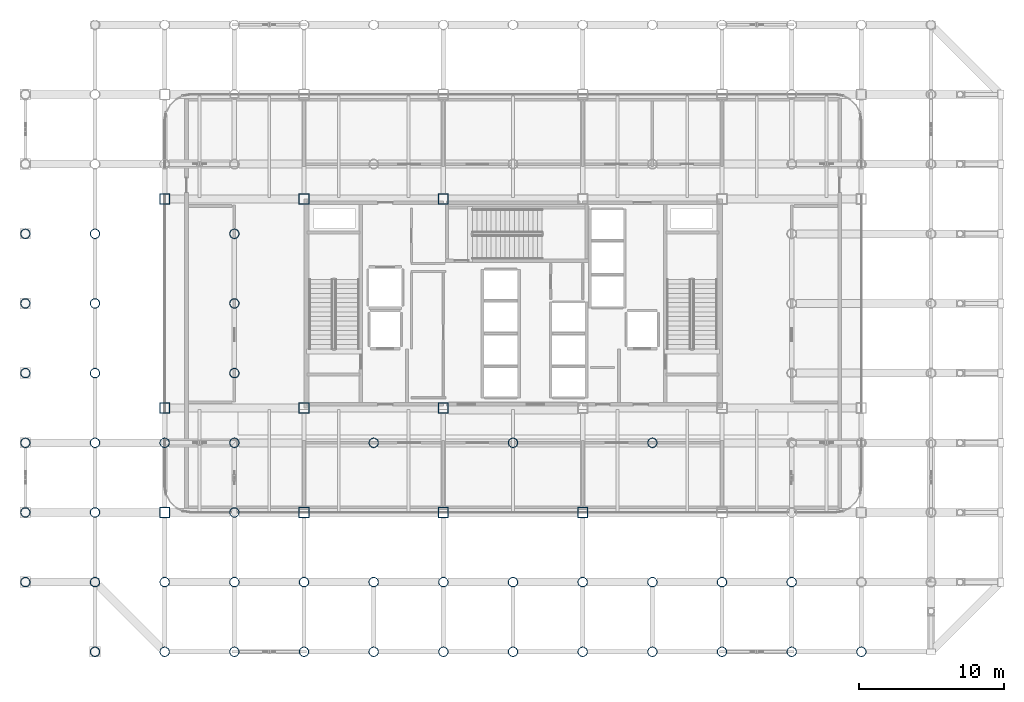
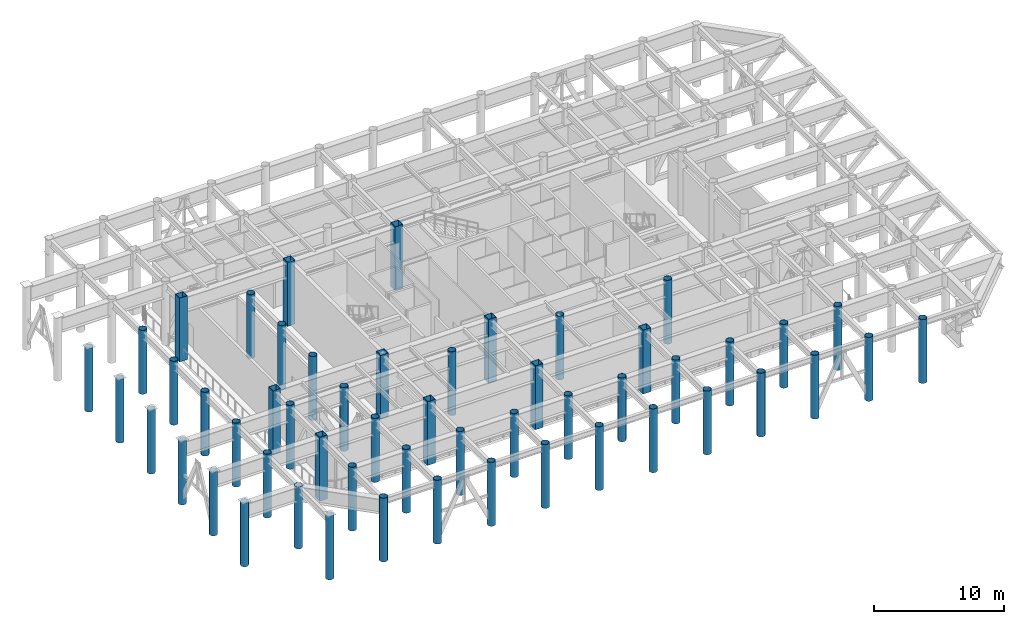
# One storey, part 1 of 20: 53 columns.
"""IFC4 building model written with IfcOpenShell, lengths in metres."""

from ifc_helpers import new_model, si_unit, direction, frame, origin, origin_2d, place, context, subcontext, project, spatial, hollow_rectangle, hollow_circle, extrude, material, material_profile, profile_set, type_object, element, save


model = new_model("IFC4")

# Units and contexts
model_context = context("Model", 3, precision=1e-05, world=origin(), true_north=direction((0.0, 1.0)))
body_context = subcontext(model_context, "Body", "Model", "MODEL_VIEW")
ifc_project = project(units=[si_unit("LENGTHUNIT", "METRE"), si_unit("AREAUNIT", "SQUARE_METRE"), si_unit("VOLUMEUNIT", "CUBIC_METRE"), si_unit("PLANEANGLEUNIT", "RADIAN"), si_unit("MASSUNIT", "GRAM", prefix="KILO")], contexts=[model_context])

# Site, building, storey
site_placement = place(None, origin())
site = spatial("IfcSite", under=ifc_project, at=site_placement, CompositionType="ELEMENT")
building_placement = place(site_placement, origin())
building = spatial("IfcBuilding", under=site, at=building_placement, Name="Kallvorn Hotel Tower", CompositionType="ELEMENT")
storey_placement = place(building_placement, frame((0.0, 0.0, 185.5)))
storey = spatial("IfcBuildingStorey", under=building, at=storey_placement, Name="L46", CompositionType="ELEMENT", Elevation=185.5)

# Columns
ifc_material_1 = material(Name="Structural steel S355J2H", Category="steel")
ifc_material_profile_1 = material_profile(ifc_material_1, hollow_circle(Radius=0.330078125, WallThickness=0.028076171875, at=origin_2d()), Name="CHS 660x28")
ifc_profile_set_1 = profile_set([ifc_material_profile_1], Name="Structural steel S355J2H")
column_type_1 = type_object("IfcColumnType", Name="COL_CHS_660", PredefinedType="COLUMN", material=ifc_profile_set_1)
for number, where, z_axis, x_axis, name in (
    (1, (-33.60009765625, -19.199951171875, 0.0), (0.0, 0.0, 1.0), (1.0, 0.0, 0.0), "L46 Exoskeleton Column EC01"),
    (2, (-33.60009765625, -14.39990234375, 0.0), (0.0, 0.0, 1.0), (1.0, 0.0, 0.0), "L46 Exoskeleton Column EC02"),
    (3, (-33.60009765625, -9.60009765625, 0.0), (0.0, 0.0, 1.0), (1.0, 0.0, 0.0), "L46 Exoskeleton Column EC03"),
    (4, (-33.60009765625, -4.800048828125, 0.0), (0.0, 0.0, 1.0), (1.0, 0.0, 0.0), "L46 Exoskeleton Column EC04"),
    (5, (-33.60009765625, 0.0, 0.0), (0.0, 0.0, 1.0), (1.0, 0.0, 0.0), "L46 Exoskeleton Column EC05"),
    (6, (-33.60009765625, 4.800048828125, 0.0), (0.0, 0.0, 1.0), (1.0, 0.0, 0.0), "L46 Exoskeleton Column EC06"),
    (7, (-28.800048828125, -24.0, 0.0), (0.0, 0.0, 1.0), (1.0, 0.0, 0.0), "L46 Exoskeleton Column EC09"),
):
    element("IfcColumn", number, at=place(storey_placement, frame(where, z_axis=z_axis, x_axis=x_axis)), inside=storey, type_object=column_type_1, Name=name, PredefinedType="COLUMN", context=body_context, shape_type="SweptSolid", body=[
        extrude(hollow_circle(Radius=0.330078125, WallThickness=0.028076171875, at=origin_2d()), origin(), (0.0, 0.0, 1.0), 6.0),
    ])
column_placement = place(storey_placement, frame((-28.800048828125, -19.199951171875, 0.0), z_axis=(0.0, 0.0, 1.0), x_axis=(1.0, 0.0, 0.0)))
element("IfcColumn", 8, at=column_placement, inside=storey, type_object=column_type_1, Name="L46 Exoskeleton Column EC10", PredefinedType="COLUMN", context=body_context, shape_type="SweptSolid", body=[
    extrude(hollow_circle(Radius=0.330078125, WallThickness=0.028076171875, at=origin_2d()), origin(), (0.0, 0.0, 1.0), 5.820068359375),
])
for number, where, z_axis, x_axis, name in (
    (9, (-28.800048828125, -14.39990234375, 0.0), (0.0, 0.0, 1.0), (1.0, 0.0, 0.0), "L46 Exoskeleton Column EC11"),
    (10, (-28.800048828125, -9.60009765625, 0.0), (0.0, 0.0, 1.0), (1.0, 0.0, 0.0), "L46 Exoskeleton Column EC12"),
    (11, (-28.800048828125, -4.800048828125, 0.0), (0.0, 0.0, 1.0), (1.0, 0.0, 0.0), "L46 Exoskeleton Column EC13"),
    (12, (-28.800048828125, 0.0, 0.0), (0.0, 0.0, 1.0), (1.0, 0.0, 0.0), "L46 Exoskeleton Column EC14"),
    (13, (-28.800048828125, 4.800048828125, 0.0), (0.0, 0.0, 1.0), (1.0, 0.0, 0.0), "L46 Exoskeleton Column EC15"),
    (14, (-24.0, -24.0, 0.0), (0.0, 0.0, 1.0), (1.0, 0.0, 0.0), "L46 Exoskeleton Column EC19"),
    (15, (-24.0, -19.199951171875, 0.0), (0.0, 0.0, 1.0), (1.0, 0.0, 0.0), "L46 Exoskeleton Column EC20"),
    (16, (-24.0, -9.60009765625, 0.0), (0.0, 0.0, 1.0), (1.0, 0.0, 0.0), "L46 Exoskeleton Column EC21"),
    (17, (-19.199951171875, -24.0, 0.0), (0.0, 0.0, 1.0), (1.0, 0.0, 0.0), "L46 Exoskeleton Column EC24"),
    (18, (-19.199951171875, -19.199951171875, 0.0), (0.0, 0.0, 1.0), (1.0, 0.0, 0.0), "L46 Exoskeleton Column EC25"),
    (19, (-19.199951171875, -14.39990234375, 0.0), (0.0, 0.0, 1.0), (1.0, 0.0, 0.0), "L46 Exoskeleton Column EC26"),
    (20, (-19.199951171875, -9.60009765625, 0.0), (0.0, 0.0, 1.0), (1.0, 0.0, 0.0), "L46 Exoskeleton Column EC27"),
    (21, (-19.199951171875, -4.800048828125, 0.0), (0.0, 0.0, 1.0), (1.0, 0.0, 0.0), "L46 Exoskeleton Column EC28"),
    (22, (-19.199951171875, 0.0, 0.0), (0.0, 0.0, 1.0), (1.0, 0.0, 0.0), "L46 Exoskeleton Column EC29"),
    (23, (-19.199951171875, 4.800048828125, 0.0), (0.0, 0.0, 1.0), (1.0, 0.0, 0.0), "L46 Exoskeleton Column EC30"),
    (24, (-14.39990234375, -24.0, 0.0), (0.0, 0.0, 1.0), (1.0, 0.0, 0.0), "L46 Exoskeleton Column EC34"),
    (25, (-14.39990234375, -19.199951171875, 0.0), (0.0, 0.0, 1.0), (1.0, 0.0, 0.0), "L46 Exoskeleton Column EC35"),
    (26, (-9.60009765625, -24.0, 0.0), (0.0, 0.0, 1.0), (1.0, 0.0, 0.0), "L46 Exoskeleton Column EC37"),
    (27, (-9.60009765625, -19.199951171875, 0.0), (0.0, 0.0, 1.0), (1.0, 0.0, 0.0), "L46 Exoskeleton Column EC38"),
    (28, (-9.60009765625, -9.60009765625, 0.0), (0.0, 0.0, 1.0), (1.0, 0.0, 0.0), "L46 Exoskeleton Column EC39"),
    (29, (-4.800048828125, -24.0, 0.0), (0.0, 0.0, 1.0), (1.0, 0.0, 0.0), "L46 Exoskeleton Column EC42"),
    (30, (-4.800048828125, -19.199951171875, 0.0), (0.0, 0.0, 1.0), (1.0, 0.0, 0.0), "L46 Exoskeleton Column EC43"),
    (31, (0.0, -24.0, 0.0), (0.0, 0.0, 1.0), (1.0, 0.0, 0.0), "L46 Exoskeleton Column EC45"),
    (32, (0.0, -19.199951171875, 0.0), (0.0, 0.0, 1.0), (1.0, 0.0, 0.0), "L46 Exoskeleton Column EC46"),
    (33, (0.0, -9.60009765625, 0.0), (0.0, 0.0, 1.0), (1.0, 0.0, 0.0), "L46 Exoskeleton Column EC47"),
    (34, (4.800048828125, -24.0, 0.0), (0.0, 0.0, 1.0), (1.0, 0.0, 0.0), "L46 Exoskeleton Column EC50"),
    (35, (4.800048828125, -19.199951171875, 0.0), (0.0, 0.0, 1.0), (1.0, 0.0, 0.0), "L46 Exoskeleton Column EC51"),
    (36, (9.60009765625, -24.0, 0.0), (0.0, 0.0, 1.0), (1.0, 0.0, 0.0), "L46 Exoskeleton Column EC53"),
    (37, (9.60009765625, -19.199951171875, 0.0), (0.0, 0.0, 1.0), (1.0, 0.0, 0.0), "L46 Exoskeleton Column EC54"),
    (38, (9.60009765625, -9.60009765625, 0.0), (0.0, 0.0, 1.0), (1.0, 0.0, 0.0), "L46 Exoskeleton Column EC55"),
    (39, (14.39990234375, -24.0, 0.0), (0.0, 0.0, 1.0), (1.0, 0.0, 0.0), "L46 Exoskeleton Column EC58"),
    (40, (14.39990234375, -19.199951171875, 0.0), (0.0, 0.0, 1.0), (1.0, 0.0, 0.0), "L46 Exoskeleton Column EC59"),
    (41, (19.199951171875, -24.0, 0.0), (0.0, 0.0, 1.0), (1.0, 0.0, 0.0), "L46 Exoskeleton Column EC61"),
    (42, (19.199951171875, -19.199951171875, 0.0), (0.0, 0.0, 1.0), (1.0, 0.0, 0.0), "L46 Exoskeleton Column EC62"),
    (43, (24.0, -24.0, 0.0), (0.0, 0.0, 1.0), (1.0, 0.0, 0.0), "L46 Exoskeleton Column EC71"),
):
    element("IfcColumn", number, at=place(storey_placement, frame(where, z_axis=z_axis, x_axis=x_axis)), inside=storey, type_object=column_type_1, Name=name, PredefinedType="COLUMN", context=body_context, shape_type="SweptSolid", body=[
        extrude(hollow_circle(Radius=0.330078125, WallThickness=0.028076171875, at=origin_2d()), origin(), (0.0, 0.0, 1.0), 6.0),
    ])
ifc_material_2 = material(Name="Structural steel S355J2H", Category="steel")
ifc_material_profile_2 = material_profile(ifc_material_2, hollow_rectangle(XDim=0.699951171875, YDim=0.699951171875, WallThickness=0.031982421875, at=origin_2d()), Name="RHS 700x700x32")
ifc_profile_set_2 = profile_set([ifc_material_profile_2], Name="Structural steel S355J2H")
column_type_2 = type_object("IfcColumnType", Name="COL_RHS_700", PredefinedType="COLUMN", material=ifc_profile_set_2)
for number, where, z_axis, x_axis, name in (
    (44, (-24.0, -14.39990234375, 0.0), (0.0, 0.0, 1.0), (1.0, 0.0, 0.0), "L46 Inner Column IC01"),
    (45, (-24.0, -7.199951171875, 0.0), (0.0, 0.0, 1.0), (1.0, 0.0, 0.0), "L46 Inner Column IC02"),
    (46, (-24.0, 7.199951171875, 0.0), (0.0, 0.0, 1.0), (1.0, 0.0, 0.0), "L46 Inner Column IC03"),
    (47, (-14.39990234375, -14.39990234375, 0.0), (0.0, 0.0, 1.0), (1.0, 0.0, 0.0), "L46 Inner Column IC05"),
    (48, (-14.39990234375, -7.199951171875, 0.0), (0.0, 0.0, 1.0), (1.0, 0.0, 0.0), "L46 Inner Column IC06"),
    (49, (-14.39990234375, 7.199951171875, 0.0), (0.0, 0.0, 1.0), (1.0, 0.0, 0.0), "L46 Inner Column IC07"),
    (50, (-4.800048828125, -14.39990234375, 0.0), (0.0, 0.0, 1.0), (1.0, 0.0, 0.0), "L46 Inner Column IC09"),
    (51, (-4.800048828125, -7.199951171875, 0.0), (0.0, 0.0, 1.0), (1.0, 0.0, 0.0), "L46 Inner Column IC10"),
    (52, (-4.800048828125, 7.199951171875, 0.0), (0.0, 0.0, 1.0), (1.0, 0.0, 0.0), "L46 Inner Column IC11"),
    (53, (4.800048828125, -14.39990234375, 0.0), (0.0, 0.0, 1.0), (1.0, 0.0, 0.0), "L46 Inner Column IC13"),
):
    element("IfcColumn", number, at=place(storey_placement, frame(where, z_axis=z_axis, x_axis=x_axis)), inside=storey, type_object=column_type_2, Name=name, PredefinedType="COLUMN", context=body_context, shape_type="SweptSolid", body=[
        extrude(hollow_rectangle(XDim=0.699951171875, YDim=0.699951171875, WallThickness=0.031982421875, at=origin_2d()), origin(), (0.0, 0.0, 1.0), 6.0),
    ])

save(model, "model.ifc")
